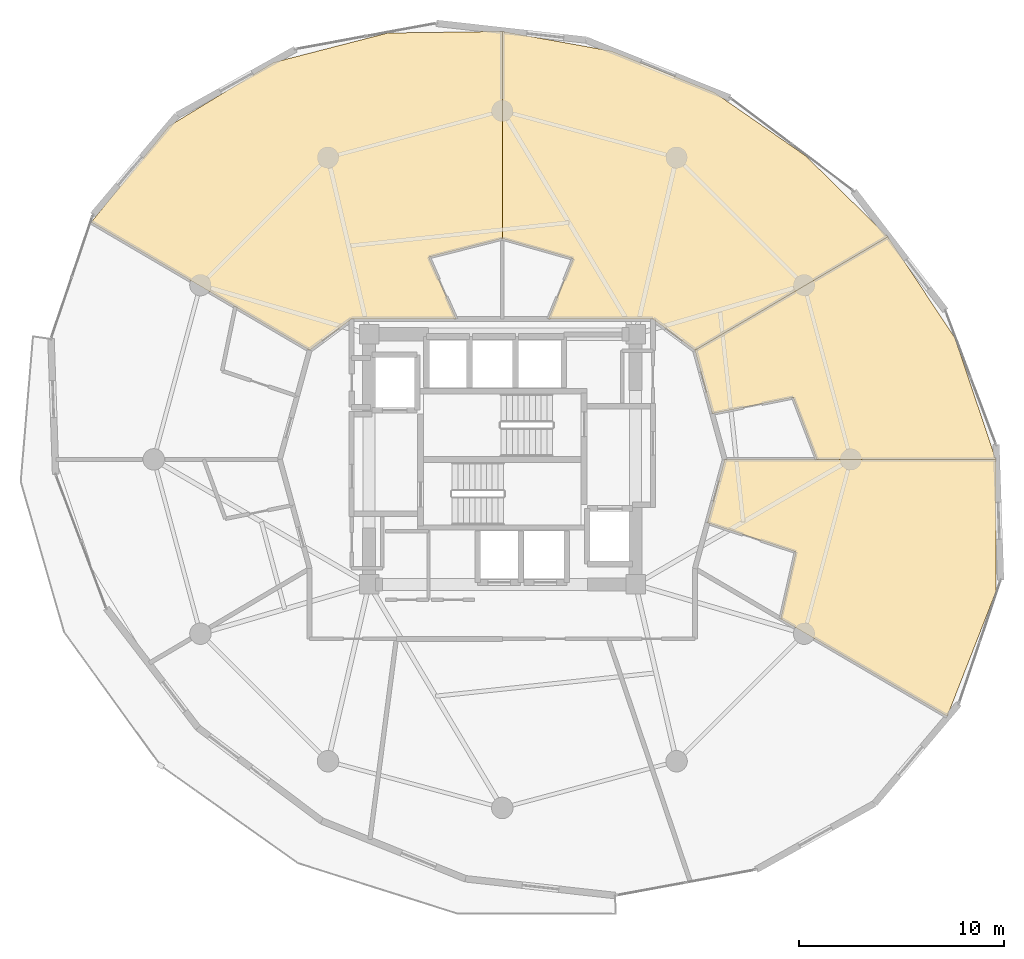
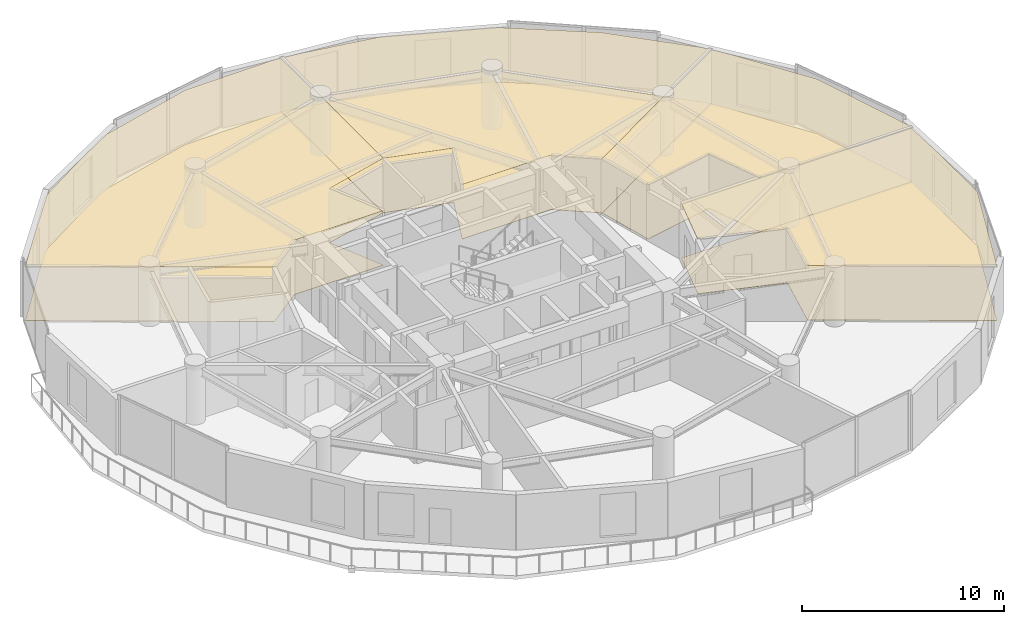
# One storey, part 25 of 25: 8 coverings.
"""IFC4 building model written with IfcOpenShell, lengths in metres."""

import ifcopenshell
import ifcopenshell.guid

model = None  # the IFC model being written
_history = None  # IfcOwnerHistory: only IFC2X3 demands one
_inside = {}  # id of a spatial element -> (the spatial element, [elements in it])
_under = {}  # id of a project, library or spatial element -> (it, [spatial elements below it])
_declared = {}  # id of a project -> (the project, [libraries it declares])
_typed = {}  # id of a type object -> (the type object, [elements of that type])
_made_of = {}  # id of a material, layer set ... -> (it, [elements and type objects made of it])


def new_model(schema):
    """Start an empty IFC model of exactly this schema.

    Asked for "IFC4X3", IfcOpenShell would pick the latest addendum, in which some entities
    have other attributes; the version numbers below select the first issue.
    IFC2X3 requires an IfcOwnerHistory on every rooted entity: one is made here for all.
    """
    global model, _history
    if schema == "IFC4X3":
        model = ifcopenshell.file(schema_version=(4, 3, 0, 0))
    else:
        model = ifcopenshell.file(schema=schema)
    _inside.clear()
    _under.clear()
    _declared.clear()
    _typed.clear()
    _made_of.clear()
    _history = None
    if model.schema == "IFC2X3":
        org = make("IfcOrganization", Name="unknown")
        user = make(
            "IfcPersonAndOrganization",
            ThePerson=make("IfcPerson", FamilyName="unknown"),
            TheOrganization=org,
        )
        app = make(
            "IfcApplication",
            ApplicationDeveloper=org,
            Version="unknown",
            ApplicationFullName="unknown",
            ApplicationIdentifier="unknown",
        )
        _history = make(
            "IfcOwnerHistory",
            OwningUser=user,
            OwningApplication=app,
            ChangeAction="ADDED",
            CreationDate=0,
        )
    return model


def make(cls, **values):
    """One entity of the class cls with the attributes given. An attribute that is None is left unset."""
    return model.create_entity(
        cls, **{name: value for name, value in values.items() if value is not None}
    )


def rooted(cls, **values):
    """An entity with a GlobalId (a new one), such as an element, a storey or a relation."""
    return make(cls, GlobalId=ifcopenshell.guid.new(), OwnerHistory=_history, **values)


def si_unit(unit_type, name, prefix=None):
    """IfcSIUnit, for example si_unit("LENGTHUNIT", "METRE", prefix="MILLI")."""
    return make("IfcSIUnit", UnitType=unit_type, Prefix=prefix, Name=name)


def assignment(units):
    """IfcUnitAssignment: the units of a project."""
    return None if units is None else make("IfcUnitAssignment", Units=units)


def point(xyz):
    """IfcCartesianPoint."""
    return None if xyz is None else make("IfcCartesianPoint", Coordinates=xyz)


def direction(xyz):
    """IfcDirection."""
    return None if xyz is None else make("IfcDirection", DirectionRatios=xyz)


def frame(location, z_axis=None, x_axis=None):
    """IfcAxis2Placement3D, a coordinate frame: its origin and axes. An axis left out is left unset."""
    return make(
        "IfcAxis2Placement3D",
        Location=point(location),
        Axis=direction(z_axis),
        RefDirection=direction(x_axis),
    )


def origin():
    """The frame at (0, 0, 0) with its axes left unset."""
    return frame((0.0, 0.0, 0.0))


def place(relative_to, where):
    """IfcLocalPlacement: puts the frame where relative to a parent placement (None: the world)."""
    return make(
        "IfcLocalPlacement", PlacementRelTo=relative_to, RelativePlacement=where
    )


def context(
    kind, dimensions, precision=None, world=None, true_north=None, identifier=None
):
    """IfcGeometricRepresentationContext, for example the 3D "Model" context."""
    return make(
        "IfcGeometricRepresentationContext",
        ContextIdentifier=identifier,
        ContextType=kind,
        CoordinateSpaceDimension=dimensions,
        Precision=precision,
        WorldCoordinateSystem=world,
        TrueNorth=true_north,
    )


def subcontext(parent, identifier, kind, view, scale=None):
    """IfcGeometricRepresentationSubContext, for example "Body" below "Model"."""
    return make(
        "IfcGeometricRepresentationSubContext",
        ContextIdentifier=identifier,
        ContextType=kind,
        ParentContext=parent,
        TargetScale=scale,
        TargetView=view,
    )


def project(units=None, contexts=None):
    """IfcProject with its units and contexts."""
    return rooted(
        "IfcProject",
        Name="project",
        RepresentationContexts=contexts,
        UnitsInContext=assignment(units),
    )


def spatial(cls, under=None, at=None, **own):
    """A site, building, storey or space (cls), placed at a placement, below another one or the project."""
    s = rooted(cls, ObjectPlacement=at, **own)
    if under is not None:
        _under.setdefault(under.id(), (under, []))[1].append(s)
    return s


def polyline(points):
    """IfcPolyline through the points."""
    return make("IfcPolyline", Points=[point(p) for p in points])


def outline(outer, holes=None, kind="AREA"):
    """IfcArbitraryClosedProfileDef: a profile drawn as a closed curve; with holes, ...WithVoids."""
    if holes is None:
        return make("IfcArbitraryClosedProfileDef", ProfileType=kind, OuterCurve=outer)
    return make(
        "IfcArbitraryProfileDefWithVoids",
        ProfileType=kind,
        OuterCurve=outer,
        InnerCurves=holes,
    )


def extrude(swept, where, along, depth):
    """IfcExtrudedAreaSolid: the profile swept, set in the frame where, extruded along a direction by depth."""
    return make(
        "IfcExtrudedAreaSolid",
        SweptArea=swept,
        Position=where,
        ExtrudedDirection=direction(along),
        Depth=depth,
    )


def shape(context_of_items, identifier, shape_type, items):
    """IfcShapeRepresentation: the items that make up one representation, for example the "Body"."""
    return make(
        "IfcShapeRepresentation",
        ContextOfItems=context_of_items,
        RepresentationIdentifier=identifier,
        RepresentationType=shape_type,
        Items=items,
    )


def material(Name=None, Category=None):
    """IfcMaterial."""
    return make("IfcMaterial", Name=Name, Category=Category)


def layer(
    of_material, thickness, ventilated=None, Name=None, Category=None, Priority=None
):
    """IfcMaterialLayer: one layer of a wall or slab, of a material (None: an air gap)."""
    return make(
        "IfcMaterialLayer",
        Material=of_material,
        LayerThickness=thickness,
        IsVentilated=ventilated,
        Name=Name,
        Category=Category,
        Priority=Priority,
    )


def layer_set(layers, Name=None):
    """IfcMaterialLayerSet."""
    return make("IfcMaterialLayerSet", MaterialLayers=layers, LayerSetName=Name)


def made_of(thing, what):
    """Note that an element or type object is made of a material, layer set ...; save() writes the relation."""
    if what is not None:
        _made_of.setdefault(what.id(), (what, []))[1].append(thing)
    return thing


def type_object(cls, material=None, **own):
    """A type object (cls), such as IfcWallType, which elements share."""
    return made_of(rooted(cls, **own), material)


def element(
    cls,
    number,
    at=None,
    inside=None,
    cuts=None,
    type_object=None,
    material=None,
    context=None,
    identifier="Body",
    shape_type=None,
    held_by="IfcProductDefinitionShape",
    body=None,
    shapes=None,
    **own,
):
    """One element of the class cls, such as IfcWall. Its Tag is "e" and its number.

    at: its placement. inside: the storey or other place that contains it. cuts: it is an
    opening in that element (IfcRelVoidsElement). A single representation is given by context,
    identifier, shape_type and body (its items); several are given by shapes. held_by: the class
    of the entity that holds the representations. save() writes the other relations.
    """
    e = rooted(cls, Tag="e%d" % number, ObjectPlacement=at, **own)
    if body is not None:
        shapes = [shape(context, identifier, shape_type, body)]
    if shapes is not None:
        e.Representation = make(held_by, Representations=shapes)
    if inside is not None:
        _inside.setdefault(inside.id(), (inside, []))[1].append(e)
    if cuts is not None:
        rooted(
            "IfcRelVoidsElement", RelatingBuildingElement=cuts, RelatedOpeningElement=e
        )
    if type_object is not None:
        _typed.setdefault(type_object.id(), (type_object, []))[1].append(e)
    return made_of(e, material)


def aggregate(whole, parts):
    """IfcRelAggregates: a whole, such as a stair, and the parts it consists of."""
    return rooted("IfcRelAggregates", RelatingObject=whole, RelatedObjects=parts)


def save(model, path):
    """Write the relations noted so far, then the file.

    IfcRelAggregates (storeys below a building ...), IfcRelContainedInSpatialStructure (elements
    in a storey), IfcRelDefinesByType, IfcRelAssociatesMaterial and IfcRelDeclares: one each for
    every whole, place, type object, material and project.
    """
    for whole, parts in _under.values():
        aggregate(whole, parts)
    for where, things in _inside.values():
        rooted(
            "IfcRelContainedInSpatialStructure",
            RelatedElements=things,
            RelatingStructure=where,
        )
    for kind, things in _typed.values():
        rooted("IfcRelDefinesByType", RelatedObjects=things, RelatingType=kind)
    for what, things in _made_of.values():
        rooted("IfcRelAssociatesMaterial", RelatedObjects=things, RelatingMaterial=what)
    for by, libraries in _declared.values():
        rooted("IfcRelDeclares", RelatingContext=by, RelatedDefinitions=libraries)
    model.write(path)


model = new_model("IFC4")

# Units and contexts
model_context = context("Model", 3, precision=1e-05, world=origin(), true_north=direction((0.0, 1.0)))
body_context = subcontext(model_context, "Body", "Model", "MODEL_VIEW")
ifc_project = project(units=[si_unit("LENGTHUNIT", "METRE"), si_unit("AREAUNIT", "SQUARE_METRE"), si_unit("VOLUMEUNIT", "CUBIC_METRE"), si_unit("PLANEANGLEUNIT", "RADIAN"), si_unit("MASSUNIT", "GRAM", prefix="KILO")], contexts=[model_context])

# Site, building, storey
site_placement = place(None, origin())
site = spatial("IfcSite", under=ifc_project, at=site_placement, CompositionType="ELEMENT")
building_placement = place(site_placement, origin())
building = spatial("IfcBuilding", under=site, at=building_placement, Name="Solvirekh Grand Hotel", CompositionType="ELEMENT")
storey_placement = place(building_placement, frame((0.0, 0.0, 106.199951171875)))
storey = spatial("IfcBuildingStorey", under=building, at=storey_placement, Name="L26", CompositionType="ELEMENT", Elevation=106.199951171875)

# Coverings
ifc_material_1 = material(Name="Acoustic Mineral Ceiling Tile")
ifc_layer_1 = layer(ifc_material_1, 0.02490234375)
ifc_layer_set_1 = layer_set([ifc_layer_1], Name="Acoustic Mineral Ceiling Tile")
covering_type_1 = type_object("IfcCoveringType", Name="Cov_Ceiling_Acoustic", PredefinedType="CEILING", material=ifc_layer_set_1)
covering_1_placement = place(storey_placement, frame((0.0, 0.0, 3.300048828125)))
element("IfcCovering", 1, at=covering_1_placement, inside=storey, type_object=covering_type_1, Name="L26 Panorama Suite 2801 acoustic ceiling", PredefinedType="CEILING", context=body_context, shape_type="SweptSolid", body=[
    extrude(outline(polyline([(0.0, 10.77587890625), (3.462890625, 9.794921875), (2.25, 6.85009765625), (7.35009765625, 6.85009765625), (9.39599609375, 5.324951171875), (18.804931640625, 10.85693359375), (14.801025390625, 14.801025390625), (10.3349609375, 17.90087890625), (5.3349609375, 19.910888671875), (0.0, 20.873046875), (0.0, 10.77587890625)])), origin(), (0.0, 0.0, 1.0), 0.01806640625),
])
covering_2_placement = place(storey_placement, frame((0.0, 0.0, 3.300048828125)))
element("IfcCovering", 2, at=covering_2_placement, inside=storey, type_object=covering_type_1, Name="L26 Panorama Suite 2802 acoustic ceiling", PredefinedType="CEILING", context=body_context, shape_type="SweptSolid", body=[
    extrude(outline(polyline([(-2.25, 6.85009765625), (-3.583984375, 9.864990234375), (0.0, 10.77587890625), (0.0, 20.873046875), (-5.572998046875, 20.798095703125), (-11.174072265625, 19.35400390625), (-16.2548828125, 16.2548828125), (-20.044921875, 11.572998046875), (-9.39599609375, 5.324951171875), (-7.35009765625, 6.85009765625), (-2.25, 6.85009765625)])), origin(), (0.0, 0.0, 1.0), 0.01806640625),
])
covering_3_placement = place(storey_placement, frame((0.0, 0.0, 3.300048828125)))
element("IfcCovering", 3, at=covering_3_placement, inside=storey, type_object=covering_type_1, Name="L26 Deluxe Guestroom 2805 acoustic ceiling", PredefinedType="CEILING", context=body_context, shape_type="SweptSolid", body=[
    extrude(outline(polyline([(14.322021484375, -4.510009765625), (13.580078125, -7.77490234375), (21.701904296875, -12.530029296875), (24.076904296875, -6.451904296875), (24.071044921875, 0.0), (10.85009765625, 0.0), (10.007080078125, -3.089111328125), (14.322021484375, -4.510009765625)])), origin(), (0.0, 0.0, 1.0), 0.01806640625),
])
covering_4_placement = place(storey_placement, frame((0.0, 0.0, 3.300048828125)))
element("IfcCovering", 4, at=covering_4_placement, inside=storey, type_object=covering_type_1, Name="L26 Deluxe Guestroom 2806 acoustic ceiling", PredefinedType="CEILING", context=body_context, shape_type="SweptSolid", body=[
    extrude(outline(polyline([(14.18994140625, 3.02587890625), (15.344970703125, 0.0), (24.071044921875, 0.0), (22.0810546875, 5.916015625), (18.804931640625, 10.85693359375), (9.39599609375, 5.324951171875), (10.239013671875, 2.236083984375), (14.18994140625, 3.02587890625)])), origin(), (0.0, 0.0, 1.0), 0.01806640625),
])
ifc_material_2 = material(Name="Porcelain Stoneware Flooring", Category="masonry")
ifc_layer_2 = layer(ifc_material_2, 0.030029296875)
ifc_layer_set_2 = layer_set([ifc_layer_2], Name="Porcelain Stoneware Flooring")
covering_type_2 = type_object("IfcCoveringType", Name="Cov_Floor_Stone", PredefinedType="FLOORING", material=ifc_layer_set_2)
covering_5_placement = place(storey_placement, origin())
element("IfcCovering", 5, at=covering_5_placement, inside=storey, type_object=covering_type_2, Name="L26 Panorama Suite 2801 polished granite flooring", PredefinedType="FLOORING", context=body_context, shape_type="SweptSolid", body=[
    extrude(outline(polyline([(0.0, 10.77587890625), (3.462890625, 9.794921875), (2.25, 6.85009765625), (7.35009765625, 6.85009765625), (9.39599609375, 5.324951171875), (18.804931640625, 10.85693359375), (14.801025390625, 14.801025390625), (10.3349609375, 17.90087890625), (5.3349609375, 19.910888671875), (0.0, 20.873046875), (0.0, 10.77587890625)])), origin(), (0.0, 0.0, 1.0), 0.02001953125),
])
covering_6_placement = place(storey_placement, origin())
element("IfcCovering", 6, at=covering_6_placement, inside=storey, type_object=covering_type_2, Name="L26 Panorama Suite 2802 polished granite flooring", PredefinedType="FLOORING", context=body_context, shape_type="SweptSolid", body=[
    extrude(outline(polyline([(-2.25, 6.85009765625), (-3.583984375, 9.864990234375), (0.0, 10.77587890625), (0.0, 20.873046875), (-5.572998046875, 20.798095703125), (-11.174072265625, 19.35400390625), (-16.2548828125, 16.2548828125), (-20.044921875, 11.572998046875), (-9.39599609375, 5.324951171875), (-7.35009765625, 6.85009765625), (-2.25, 6.85009765625)])), origin(), (0.0, 0.0, 1.0), 0.02001953125),
])
covering_7_placement = place(storey_placement, origin())
element("IfcCovering", 7, at=covering_7_placement, inside=storey, type_object=covering_type_2, Name="L26 Deluxe Guestroom 2805 polished granite flooring", PredefinedType="FLOORING", context=body_context, shape_type="SweptSolid", body=[
    extrude(outline(polyline([(14.322021484375, -4.510009765625), (13.580078125, -7.77490234375), (21.701904296875, -12.530029296875), (24.076904296875, -6.451904296875), (24.071044921875, 0.0), (10.85009765625, 0.0), (10.007080078125, -3.089111328125), (14.322021484375, -4.510009765625)])), origin(), (0.0, 0.0, 1.0), 0.02001953125),
])
covering_8_placement = place(storey_placement, origin())
element("IfcCovering", 8, at=covering_8_placement, inside=storey, type_object=covering_type_2, Name="L26 Deluxe Guestroom 2806 polished granite flooring", PredefinedType="FLOORING", context=body_context, shape_type="SweptSolid", body=[
    extrude(outline(polyline([(14.18994140625, 3.02587890625), (15.344970703125, 0.0), (24.071044921875, 0.0), (22.0810546875, 5.916015625), (18.804931640625, 10.85693359375), (9.39599609375, 5.324951171875), (10.239013671875, 2.236083984375), (14.18994140625, 3.02587890625)])), origin(), (0.0, 0.0, 1.0), 0.02001953125),
])

save(model, "model.ifc")
